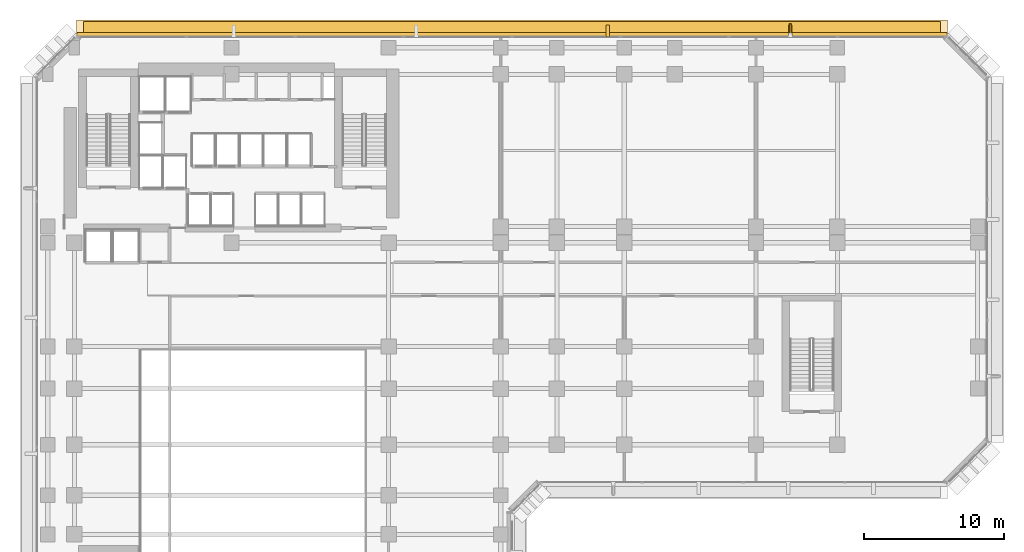
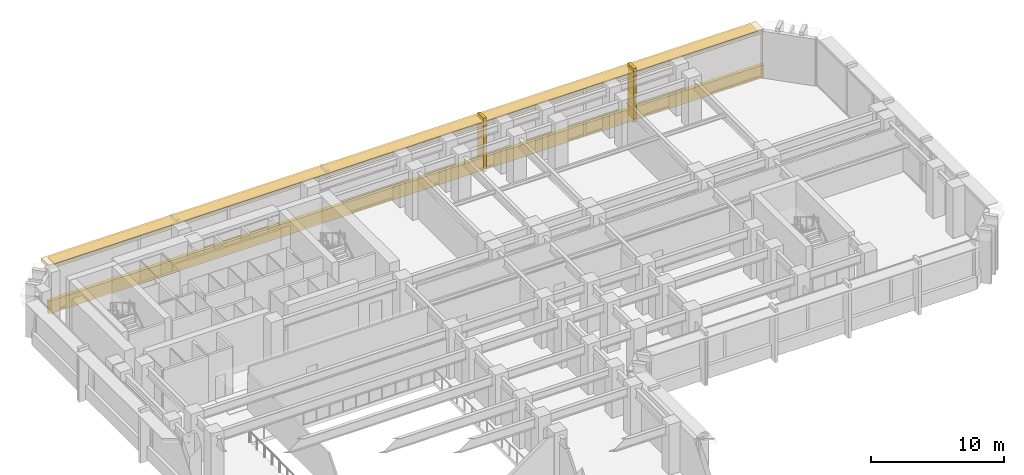
# One storey, part 15 of 16: 4 coverings, 2 shading devices.
"""IFC4 building model written with IfcOpenShell, lengths in metres."""

from ifc_helpers import new_model, si_unit, direction, frame, origin, origin_2d, place, context, subcontext, project, spatial, rectangle, extrude, material, layer, layer_set, material_profile, profile_set, type_object, element, save


model = new_model("IFC4")

# Units and contexts
model_context = context("Model", 3, precision=1e-05, world=origin(), true_north=direction((0.0, 1.0)))
body_context = subcontext(model_context, "Body", "Model", "MODEL_VIEW")
ifc_project = project(units=[si_unit("LENGTHUNIT", "METRE"), si_unit("AREAUNIT", "SQUARE_METRE"), si_unit("VOLUMEUNIT", "CUBIC_METRE"), si_unit("PLANEANGLEUNIT", "RADIAN"), si_unit("MASSUNIT", "GRAM", prefix="KILO")], contexts=[model_context])

# Site, building, storey
site_placement = place(None, origin())
site = spatial("IfcSite", under=ifc_project, at=site_placement, CompositionType="ELEMENT")
building_placement = place(site_placement, origin())
building = spatial("IfcBuilding", under=site, at=building_placement, Name="Kefirva Bronze Tower", CompositionType="ELEMENT")
storey_placement = place(building_placement, frame((0.0, 0.0, 16.5)))
storey = spatial("IfcBuildingStorey", under=building, at=storey_placement, Name="L03", CompositionType="ELEMENT", Elevation=16.5)

# Covering
ifc_material = material(Name="Bronze anodised aluminium", Category="aluminium")
ifc_layer_1 = layer(ifc_material, 0.02001953125, Name="Bronze anodised aluminium")
ifc_layer_set_1 = layer_set([ifc_layer_1], Name="Bronze anodised aluminium")
covering_type_1 = type_object("IfcCoveringType", Name="Anodised Bronze Spandrel Cladding 20mm", PredefinedType="CLADDING", material=ifc_layer_set_1)
covering_1_placement = place(storey_placement, frame((32.0, 48.0400390625, -0.16015625), z_axis=(0.0, 0.0, 1.0), x_axis=(-1.0, 0.0, 0.0)))
element("IfcCovering", 1, at=covering_1_placement, inside=storey, type_object=covering_type_1, Name="L03 Streamline Horizontal Spandrel Band 8", PredefinedType="CLADDING", context=body_context, shape_type="SweptSolid", body=[
    extrude(rectangle(XDim=62.0400390625, YDim=0.280029296875, at=origin_2d()), origin(), (0.0, 0.0, 1.0), 1.179931640625),
])

# Shading device
ifc_layer_2 = layer(ifc_material, 0.1201171875, Name="Bronze anodised aluminium")
ifc_layer_set_2 = layer_set([ifc_layer_2], Name="Bronze anodised aluminium")
shading_device_type_1 = type_object("IfcShadingDeviceType", Name="Podium Deep Bronze Canopy Sunshade 1050mm", PredefinedType="JALOUSIE", material=ifc_layer_set_2)
shading_device_1_placement = place(storey_placement, frame((32.0, 48.445068359375, 4.19482421875), z_axis=(0.0, 0.0, 1.0), x_axis=(-1.0, 0.0, 0.0)))
element("IfcShadingDevice", 2, at=shading_device_1_placement, inside=storey, type_object=shading_device_type_1, Name="L03 Horizontal Bronze Sunshade Band 8", PredefinedType="JALOUSIE", context=body_context, shape_type="SweptSolid", body=[
    extrude(rectangle(XDim=61.090087890625, YDim=1.050048828125, at=origin_2d()), origin(), (0.0, 0.0, 1.0), 0.090087890625),
])

# Coverings
ifc_layer_3 = layer(ifc_material, 0.179931640625, Name="Bronze anodised aluminium")
ifc_layer_set_3 = layer_set([ifc_layer_3], Name="Bronze anodised aluminium")
covering_type_2 = type_object("IfcCoveringType", Name="Streamline Bronze Sunshade Eyebrow Cladding 180mm", PredefinedType="CLADDING", material=ifc_layer_set_3)
covering_2_placement = place(storey_placement, frame((32.0, 48.4599609375, 3.97998046875), z_axis=(0.0, 0.0, 1.0), x_axis=(-1.0, 0.0, 0.0)))
element("IfcCovering", 3, at=covering_2_placement, inside=storey, type_object=covering_type_2, Name="L03 Streamline Bronze Sunshade Eyebrow 8", PredefinedType="CLADDING", context=body_context, shape_type="SweptSolid", body=[
    extrude(rectangle(XDim=62.080078125, YDim=1.239990234375, at=origin_2d()), origin(), (0.0, 0.0, 1.0), 0.320068359375),
])
ifc_layer_4 = layer(ifc_material, 0.260009765625, Name="Bronze anodised aluminium")
ifc_layer_set_4 = layer_set([ifc_layer_4], Name="Bronze anodised aluminium")
covering_type_3 = type_object("IfcCoveringType", Name="Unbroken Bronze Buttress Fin Cladding 260mm", PredefinedType="CLADDING", material=ifc_layer_set_4)
for number, where, z_axis, x_axis, name in (
    (4, (51.840087890625, 48.300048828125, -0.320068359375), (0.0, 0.0, 1.0), (-1.0, 0.0, 0.0), "L03 Unbroken Vertical Bronze Rib Fin 23"),
    (5, (38.820068359375, 48.300048828125, -0.320068359375), (0.0, 0.0, 1.0), (-1.0, 0.0, 0.0), "L03 Unbroken Vertical Bronze Rib Fin 24"),
):
    element("IfcCovering", number, at=place(storey_placement, frame(where, z_axis=z_axis, x_axis=x_axis)), inside=storey, type_object=covering_type_3, Name=name, PredefinedType="CLADDING", context=body_context, shape_type="SweptSolid", body=[
        extrude(rectangle(XDim=0.260009765625, YDim=0.8798828125, at=origin_2d()), origin(), (0.0, 0.0, 1.0), 4.93994140625),
    ])

# Shading device
ifc_material_profile = material_profile(ifc_material, rectangle(XDim=0.139892578125, YDim=0.8798828125, at=origin_2d()), Name="BRONZE FIN 140x880")
ifc_profile_set = profile_set([ifc_material_profile], Name="Bronze anodised aluminium")
shading_device_type_2 = type_object("IfcShadingDeviceType", Name="Unbroken Vertical Bronze Facade Fin 880mm", PredefinedType="USERDEFINED", material=ifc_profile_set)
shading_device_2_placement = place(storey_placement, frame((51.840087890625, 48.360107421875, -0.139892578125), z_axis=(0.0, 0.0, 1.0), x_axis=(-1.0, 0.0, 0.0)))
element("IfcShadingDevice", 6, at=shading_device_2_placement, inside=storey, type_object=shading_device_type_2, Name="L03 Vertical Bronze Rib Fin 23", ObjectType="VERTICAL FIN", PredefinedType="USERDEFINED", context=body_context, shape_type="SweptSolid", body=[
    extrude(rectangle(XDim=0.139892578125, YDim=0.8798828125, at=origin_2d()), origin(), (0.0, 0.0, 1.0), 4.43994140625),
])

save(model, "model.ifc")
